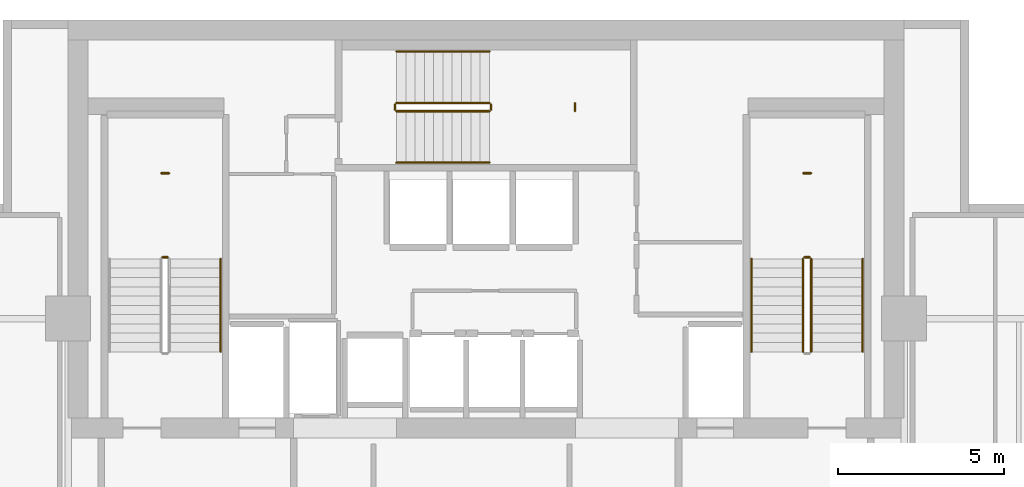
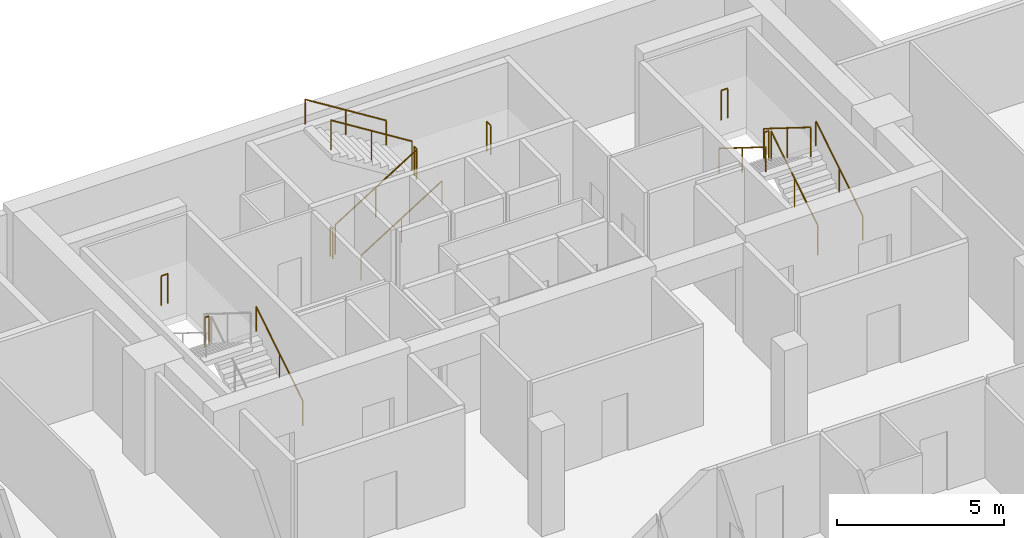
# One storey, part 24 of 24: 16 railings.
"""IFC4 building model written with IfcOpenShell, lengths in metres."""

from ifc_helpers import new_model, si_unit, direction, frame, origin, origin_2d, place, context, subcontext, project, spatial, circle, extrude, material, type_object, element, save


model = new_model("IFC4")

# Units and contexts
model_context = context("Model", 3, precision=1e-05, world=origin(), true_north=direction((0.0, 1.0)))
body_context = subcontext(model_context, "Body", "Model", "MODEL_VIEW")
ifc_project = project(units=[si_unit("LENGTHUNIT", "METRE"), si_unit("AREAUNIT", "SQUARE_METRE"), si_unit("VOLUMEUNIT", "CUBIC_METRE"), si_unit("PLANEANGLEUNIT", "RADIAN"), si_unit("MASSUNIT", "GRAM", prefix="KILO")], contexts=[model_context])

# Site, building, storey
site_placement = place(None, origin())
site = spatial("IfcSite", under=ifc_project, at=site_placement, CompositionType="ELEMENT")
building_placement = place(site_placement, origin())
building = spatial("IfcBuilding", under=site, at=building_placement, Name="Maruvema Waterfront Hotel and Observation Tower", CompositionType="ELEMENT")
storey_placement = place(building_placement, frame((0.0, 0.0, 329.699951171875)))
storey = spatial("IfcBuildingStorey", under=building, at=storey_placement, Name="L81", CompositionType="ELEMENT", Elevation=329.699951171875)

# Railings
ifc_material_1 = material(Name="Brushed stainless steel Grade 316", Category="steel")
railing_type_1 = type_object("IfcRailingType", Name="Ramp Continuous Wall Handrail 920 mm", PredefinedType="HANDRAIL", material=ifc_material_1)
railing_1_placement = place(storey_placement, frame((29.800048828125, 44.0, 0.175048828125)))
element("IfcRailing", 1, at=railing_1_placement, inside=storey, type_object=railing_type_1, Name="L81 ST-01 stair handrail 1", PredefinedType="HANDRAIL", context=body_context, shape_type="SweptSolid", body=[
    extrude(circle(Radius=0.02392578125, at=origin_2d()), frame((0.0, 0.0, 0.89599609375), z_axis=(0.0, 0.848002457836, 0.529992293815), x_axis=(-1.0, 0.0, 0.0)), (0.0, 0.0, 1.0), 3.302001953125),
    extrude(circle(Radius=0.02099609375, at=origin_2d()), origin(), (0.0, 0.0, 1.0), 0.871826171875),
    extrude(circle(Radius=0.02099609375, at=origin_2d()), frame((0.0, 1.39990234375, 0.875)), (0.0, 0.0, 1.0), 0.871826171875),
    extrude(circle(Radius=0.02099609375, at=origin_2d()), frame((0.0, 2.800048828125, 1.75)), (0.0, 0.0, 1.0), 0.871826171875),
])
railing_2_placement = place(storey_placement, frame((35.10009765625, 49.699951171875, 0.175048828125)))
element("IfcRailing", 2, at=railing_2_placement, inside=storey, type_object=railing_type_1, Name="L81 ST-02 stair handrail 1", PredefinedType="HANDRAIL", context=body_context, shape_type="SweptSolid", body=[
    extrude(circle(Radius=0.02392578125, at=origin_2d()), frame((0.0, 0.0, 0.89599609375), z_axis=(0.847981687118, 0.0, 0.530025526095), x_axis=(0.0, 1.0, 0.0)), (0.0, 0.0, 1.0), 3.3017578125),
    extrude(circle(Radius=0.02099609375, at=origin_2d()), origin(), (0.0, 0.0, 1.0), 0.871826171875),
    extrude(circle(Radius=0.02099609375, at=origin_2d()), frame((1.39990234375, 0.0, 0.875)), (0.0, 0.0, 1.0), 0.871826171875),
    extrude(circle(Radius=0.02099609375, at=origin_2d()), frame((2.7998046875, 0.0, 1.75)), (0.0, 0.0, 1.0), 0.871826171875),
])
railing_3_placement = place(storey_placement, frame((37.89990234375, 53.050048828125, 2.10009765625)))
element("IfcRailing", 3, at=railing_3_placement, inside=storey, type_object=railing_type_1, Name="L81 ST-02 stair handrail 2", PredefinedType="HANDRAIL", context=body_context, shape_type="SweptSolid", body=[
    extrude(circle(Radius=0.02392578125, at=origin_2d()), frame((0.0, 0.0, 0.89599609375), z_axis=(-0.847981687118, 0.0, 0.530025526095), x_axis=(0.0, -1.0, 0.0)), (0.0, 0.0, 1.0), 3.3017578125),
    extrude(circle(Radius=0.02099609375, at=origin_2d()), origin(), (0.0, 0.0, 1.0), 0.871826171875),
    extrude(circle(Radius=0.02099609375, at=origin_2d()), frame((-1.39990234375, 0.0, 0.875)), (0.0, 0.0, 1.0), 0.871826171875),
    extrude(circle(Radius=0.02099609375, at=origin_2d()), frame((-2.7998046875, 0.0, 1.75)), (0.0, 0.0, 1.0), 0.871826171875),
])
railing_4_placement = place(storey_placement, frame((49.14990234375, 44.0, 0.175048828125)))
element("IfcRailing", 4, at=railing_4_placement, inside=storey, type_object=railing_type_1, Name="L81 ST-03 stair handrail 1", PredefinedType="HANDRAIL", context=body_context, shape_type="SweptSolid", body=[
    extrude(circle(Radius=0.02392578125, at=origin_2d()), frame((0.0, 0.0, 0.89599609375), z_axis=(0.0, 0.848002457836, 0.529992293815), x_axis=(-1.0, 0.0, 0.0)), (0.0, 0.0, 1.0), 3.302001953125),
    extrude(circle(Radius=0.02099609375, at=origin_2d()), origin(), (0.0, 0.0, 1.0), 0.871826171875),
    extrude(circle(Radius=0.02099609375, at=origin_2d()), frame((0.0, 1.39990234375, 0.875)), (0.0, 0.0, 1.0), 0.871826171875),
    extrude(circle(Radius=0.02099609375, at=origin_2d()), frame((0.0, 2.800048828125, 1.75)), (0.0, 0.0, 1.0), 0.871826171875),
])
railing_5_placement = place(storey_placement, frame((45.800048828125, 46.800048828125, 2.10009765625)))
element("IfcRailing", 5, at=railing_5_placement, inside=storey, type_object=railing_type_1, Name="L81 ST-03 stair handrail 2", PredefinedType="HANDRAIL", context=body_context, shape_type="SweptSolid", body=[
    extrude(circle(Radius=0.02392578125, at=origin_2d()), frame((0.0, 0.0, 0.89599609375), z_axis=(0.0, -0.848002457836, 0.529992293815), x_axis=(1.0, 0.0, 0.0)), (0.0, 0.0, 1.0), 3.302001953125),
    extrude(circle(Radius=0.02099609375, at=origin_2d()), origin(), (0.0, 0.0, 1.0), 0.871826171875),
    extrude(circle(Radius=0.02099609375, at=origin_2d()), frame((0.0, -1.39990234375, 0.875)), (0.0, 0.0, 1.0), 0.871826171875),
    extrude(circle(Radius=0.02099609375, at=origin_2d()), frame((0.0, -2.800048828125, 1.75)), (0.0, 0.0, 1.0), 0.871826171875),
])
ifc_material_2 = material(Name="Brushed stainless steel Grade 316", Category="steel")
railing_type_2 = type_object("IfcRailingType", Name="Ramp and Terrace Guard Balustrade 1100 mm", PredefinedType="BALUSTRADE", material=ifc_material_2)
railing_6_placement = place(storey_placement, frame((28.199951171875, 46.85009765625, 1.925048828125)))
element("IfcRailing", 6, at=railing_6_placement, inside=storey, type_object=railing_type_2, Name="L81 ST-01 stair guard 2", PredefinedType="BALUSTRADE", context=body_context, shape_type="SweptSolid", body=[
    extrude(circle(Radius=0.02392578125, at=origin_2d()), frame((0.0, 0.0, 1.076171875), z_axis=(-1.0, 0.0, 0.0), x_axis=(0.0, -1.0, 0.0)), (0.0, 0.0, 1.0), 0.14990234375),
    extrude(circle(Radius=0.02099609375, at=origin_2d()), origin(), (0.0, 0.0, 1.0), 1.052001953125),
    extrude(circle(Radius=0.02099609375, at=origin_2d()), frame((-0.14990234375, 0.0, 0.0)), (0.0, 0.0, 1.0), 1.052001953125),
])
railing_7_placement = place(storey_placement, frame((28.239990234375, 49.3798828125, 1.925048828125)))
element("IfcRailing", 7, at=railing_7_placement, inside=storey, type_object=railing_type_2, Name="L81 ST-01 Half-Landing Slot Guard", PredefinedType="BALUSTRADE", context=body_context, shape_type="SweptSolid", body=[
    extrude(circle(Radius=0.02392578125, at=origin_2d()), frame((0.0, 0.0, 1.076171875), z_axis=(-1.0, 0.0, 0.0), x_axis=(0.0, -1.0, 0.0)), (0.0, 0.0, 1.0), 0.22998046875),
    extrude(circle(Radius=0.02099609375, at=origin_2d()), origin(), (0.0, 0.0, 1.0), 1.052001953125),
    extrude(circle(Radius=0.02099609375, at=origin_2d()), frame((-0.22998046875, 0.0, 0.0)), (0.0, 0.0, 1.0), 1.052001953125),
])
railing_8_placement = place(storey_placement, frame((35.10009765625, 51.25, 0.175048828125)))
element("IfcRailing", 8, at=railing_8_placement, inside=storey, type_object=railing_type_2, Name="L81 ST-02 stair guard 1", PredefinedType="BALUSTRADE", context=body_context, shape_type="SweptSolid", body=[
    extrude(circle(Radius=0.02392578125, at=origin_2d()), frame((0.0, 0.0, 1.076171875), z_axis=(0.847981687118, 0.0, 0.530025526095), x_axis=(0.0, 1.0, 0.0)), (0.0, 0.0, 1.0), 3.3017578125),
    extrude(circle(Radius=0.02099609375, at=origin_2d()), origin(), (0.0, 0.0, 1.0), 1.052001953125),
    extrude(circle(Radius=0.02099609375, at=origin_2d()), frame((1.39990234375, 0.0, 0.875)), (0.0, 0.0, 1.0), 1.052001953125),
    extrude(circle(Radius=0.02099609375, at=origin_2d()), frame((2.7998046875, 0.0, 1.75)), (0.0, 0.0, 1.0), 1.052001953125),
])
railing_9_placement = place(storey_placement, frame((37.949951171875, 51.300048828125, 1.925048828125)))
element("IfcRailing", 9, at=railing_9_placement, inside=storey, type_object=railing_type_2, Name="L81 ST-02 stair guard 2", PredefinedType="BALUSTRADE", context=body_context, shape_type="SweptSolid", body=[
    extrude(circle(Radius=0.02392578125, at=origin_2d()), frame((0.0, 0.0, 1.076171875), z_axis=(0.0, 1.0, 0.0), x_axis=(-1.0, 0.0, 0.0)), (0.0, 0.0, 1.0), 0.14990234375),
    extrude(circle(Radius=0.02099609375, at=origin_2d()), origin(), (0.0, 0.0, 1.0), 1.052001953125),
    extrude(circle(Radius=0.02099609375, at=origin_2d()), frame((0.0, 0.14990234375, 0.0)), (0.0, 0.0, 1.0), 1.052001953125),
])
railing_10_placement = place(storey_placement, frame((37.89990234375, 51.5, 2.10009765625)))
element("IfcRailing", 10, at=railing_10_placement, inside=storey, type_object=railing_type_2, Name="L81 ST-02 stair guard 3", PredefinedType="BALUSTRADE", context=body_context, shape_type="SweptSolid", body=[
    extrude(circle(Radius=0.02392578125, at=origin_2d()), frame((0.0, 0.0, 1.076171875), z_axis=(-0.847981687118, 0.0, 0.530025526095), x_axis=(0.0, -1.0, 0.0)), (0.0, 0.0, 1.0), 3.3017578125),
    extrude(circle(Radius=0.02099609375, at=origin_2d()), origin(), (0.0, 0.0, 1.0), 1.052001953125),
    extrude(circle(Radius=0.02099609375, at=origin_2d()), frame((-1.39990234375, 0.0, 0.875)), (0.0, 0.0, 1.0), 1.052001953125),
    extrude(circle(Radius=0.02099609375, at=origin_2d()), frame((-2.7998046875, 0.0, 1.75)), (0.0, 0.0, 1.0), 1.052001953125),
])
railing_11_placement = place(storey_placement, frame((35.050048828125, 51.300048828125, 0.0)))
element("IfcRailing", 11, at=railing_11_placement, inside=storey, type_object=railing_type_2, Name="L81 ST-02 stair guard 4", PredefinedType="BALUSTRADE", context=body_context, shape_type="SweptSolid", body=[
    extrude(circle(Radius=0.02392578125, at=origin_2d()), frame((0.0, 0.0, 1.076171875), z_axis=(0.0, 1.0, 0.0), x_axis=(-1.0, 0.0, 0.0)), (0.0, 0.0, 1.0), 0.14990234375),
    extrude(circle(Radius=0.02099609375, at=origin_2d()), origin(), (0.0, 0.0, 1.0), 1.052001953125),
    extrude(circle(Radius=0.02099609375, at=origin_2d()), frame((0.0, 0.14990234375, 0.0)), (0.0, 0.0, 1.0), 1.052001953125),
])
railing_12_placement = place(storey_placement, frame((40.47998046875, 51.260009765625, 1.925048828125)))
element("IfcRailing", 12, at=railing_12_placement, inside=storey, type_object=railing_type_2, Name="L81 ST-02 Half-Landing Slot Guard", PredefinedType="BALUSTRADE", context=body_context, shape_type="SweptSolid", body=[
    extrude(circle(Radius=0.02392578125, at=origin_2d()), frame((0.0, 0.0, 1.076171875), z_axis=(0.0, 1.0, 0.0), x_axis=(-1.0, 0.0, 0.0)), (0.0, 0.0, 1.0), 0.22998046875),
    extrude(circle(Radius=0.02099609375, at=origin_2d()), origin(), (0.0, 0.0, 1.0), 1.052001953125),
    extrude(circle(Radius=0.02099609375, at=origin_2d()), frame((0.0, 0.22998046875, 0.0)), (0.0, 0.0, 1.0), 1.052001953125),
])
railing_13_placement = place(storey_placement, frame((47.60009765625, 44.0, 0.175048828125)))
element("IfcRailing", 13, at=railing_13_placement, inside=storey, type_object=railing_type_2, Name="L81 ST-03 stair guard 1", PredefinedType="BALUSTRADE", context=body_context, shape_type="SweptSolid", body=[
    extrude(circle(Radius=0.02392578125, at=origin_2d()), frame((0.0, 0.0, 1.076171875), z_axis=(0.0, 0.848002457836, 0.529992293815), x_axis=(-1.0, 0.0, 0.0)), (0.0, 0.0, 1.0), 3.302001953125),
    extrude(circle(Radius=0.02099609375, at=origin_2d()), origin(), (0.0, 0.0, 1.0), 1.052001953125),
    extrude(circle(Radius=0.02099609375, at=origin_2d()), frame((0.0, 1.39990234375, 0.875)), (0.0, 0.0, 1.0), 1.052001953125),
    extrude(circle(Radius=0.02099609375, at=origin_2d()), frame((0.0, 2.800048828125, 1.75)), (0.0, 0.0, 1.0), 1.052001953125),
])
railing_14_placement = place(storey_placement, frame((47.550048828125, 46.85009765625, 1.925048828125)))
element("IfcRailing", 14, at=railing_14_placement, inside=storey, type_object=railing_type_2, Name="L81 ST-03 stair guard 2", PredefinedType="BALUSTRADE", context=body_context, shape_type="SweptSolid", body=[
    extrude(circle(Radius=0.02392578125, at=origin_2d()), frame((0.0, 0.0, 1.076171875), z_axis=(-1.0, 0.0, 0.0), x_axis=(0.0, -1.0, 0.0)), (0.0, 0.0, 1.0), 0.150146484375),
    extrude(circle(Radius=0.02099609375, at=origin_2d()), origin(), (0.0, 0.0, 1.0), 1.052001953125),
    extrude(circle(Radius=0.02099609375, at=origin_2d()), frame((-0.150146484375, 0.0, 0.0)), (0.0, 0.0, 1.0), 1.052001953125),
])
railing_15_placement = place(storey_placement, frame((47.35009765625, 46.800048828125, 2.10009765625)))
element("IfcRailing", 15, at=railing_15_placement, inside=storey, type_object=railing_type_2, Name="L81 ST-03 stair guard 3", PredefinedType="BALUSTRADE", context=body_context, shape_type="SweptSolid", body=[
    extrude(circle(Radius=0.02392578125, at=origin_2d()), frame((0.0, 0.0, 1.076171875), z_axis=(0.0, -0.848002457836, 0.529992293815), x_axis=(1.0, 0.0, 0.0)), (0.0, 0.0, 1.0), 3.302001953125),
    extrude(circle(Radius=0.02099609375, at=origin_2d()), origin(), (0.0, 0.0, 1.0), 1.052001953125),
    extrude(circle(Radius=0.02099609375, at=origin_2d()), frame((0.0, -1.39990234375, 0.875)), (0.0, 0.0, 1.0), 1.052001953125),
    extrude(circle(Radius=0.02099609375, at=origin_2d()), frame((0.0, -2.800048828125, 1.75)), (0.0, 0.0, 1.0), 1.052001953125),
])
railing_16_placement = place(storey_placement, frame((47.590087890625, 49.3798828125, 1.925048828125)))
element("IfcRailing", 16, at=railing_16_placement, inside=storey, type_object=railing_type_2, Name="L81 ST-03 Half-Landing Slot Guard", PredefinedType="BALUSTRADE", context=body_context, shape_type="SweptSolid", body=[
    extrude(circle(Radius=0.02392578125, at=origin_2d()), frame((0.0, 0.0, 1.076171875), z_axis=(-1.0, 0.0, 0.0), x_axis=(0.0, -1.0, 0.0)), (0.0, 0.0, 1.0), 0.22998046875),
    extrude(circle(Radius=0.02099609375, at=origin_2d()), origin(), (0.0, 0.0, 1.0), 1.052001953125),
    extrude(circle(Radius=0.02099609375, at=origin_2d()), frame((-0.22998046875, 0.0, 0.0)), (0.0, 0.0, 1.0), 1.052001953125),
])

save(model, "model.ifc")
